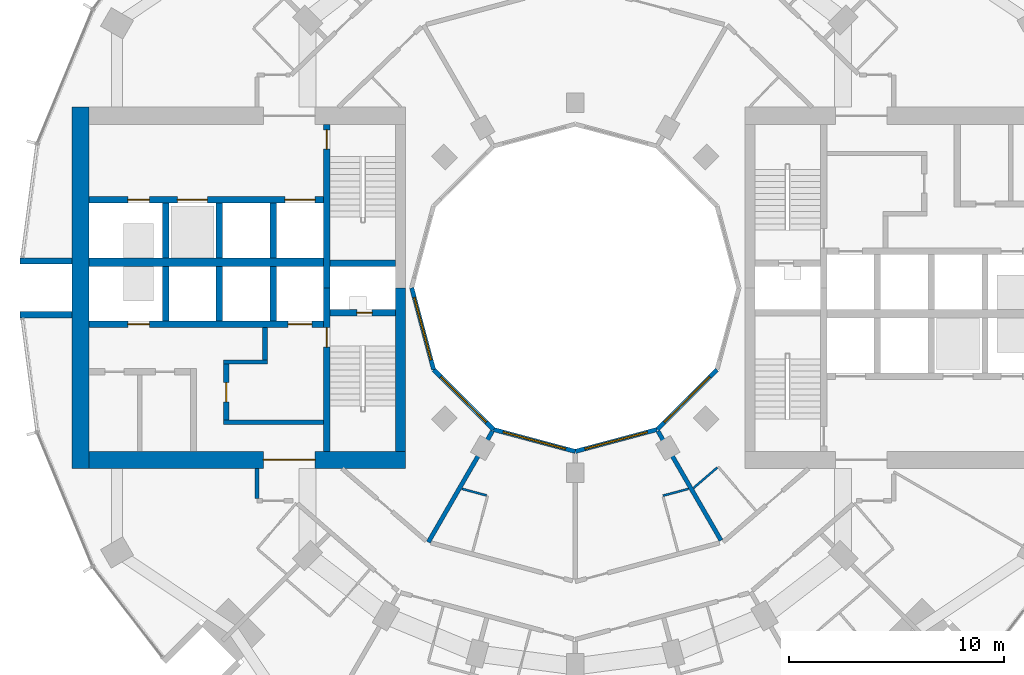
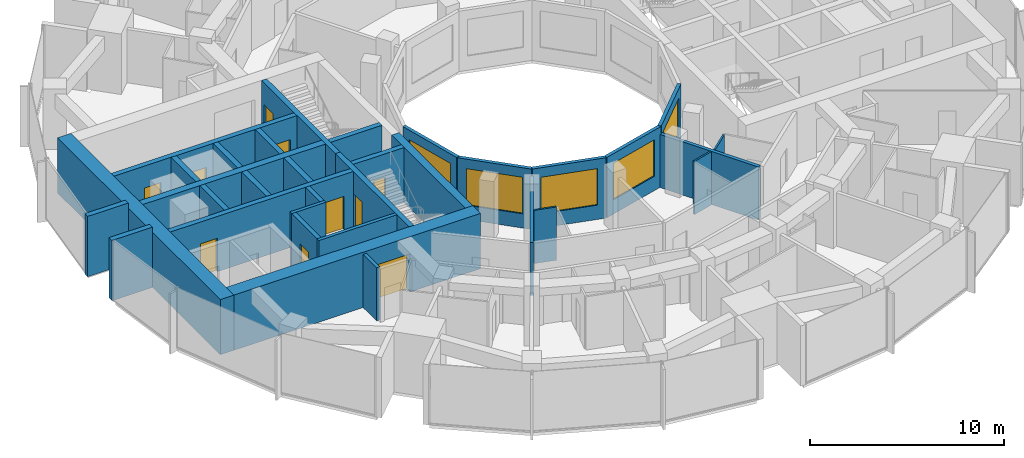
# One storey, part 9 of 15: 33 walls, 10 doors, 5 windows, 15 openings.
"""IFC4 building model written with IfcOpenShell, lengths in metres."""

import ifcopenshell
import ifcopenshell.guid

model = None  # the IFC model being written
_history = None  # IfcOwnerHistory: only IFC2X3 demands one
_inside = {}  # id of a spatial element -> (the spatial element, [elements in it])
_under = {}  # id of a project, library or spatial element -> (it, [spatial elements below it])
_declared = {}  # id of a project -> (the project, [libraries it declares])
_typed = {}  # id of a type object -> (the type object, [elements of that type])
_made_of = {}  # id of a material, layer set ... -> (it, [elements and type objects made of it])


def new_model(schema):
    """Start an empty IFC model of exactly this schema.

    Asked for "IFC4X3", IfcOpenShell would pick the latest addendum, in which some entities
    have other attributes; the version numbers below select the first issue.
    IFC2X3 requires an IfcOwnerHistory on every rooted entity: one is made here for all.
    """
    global model, _history
    if schema == "IFC4X3":
        model = ifcopenshell.file(schema_version=(4, 3, 0, 0))
    else:
        model = ifcopenshell.file(schema=schema)
    _inside.clear()
    _under.clear()
    _declared.clear()
    _typed.clear()
    _made_of.clear()
    _history = None
    if model.schema == "IFC2X3":
        org = make("IfcOrganization", Name="unknown")
        user = make(
            "IfcPersonAndOrganization",
            ThePerson=make("IfcPerson", FamilyName="unknown"),
            TheOrganization=org,
        )
        app = make(
            "IfcApplication",
            ApplicationDeveloper=org,
            Version="unknown",
            ApplicationFullName="unknown",
            ApplicationIdentifier="unknown",
        )
        _history = make(
            "IfcOwnerHistory",
            OwningUser=user,
            OwningApplication=app,
            ChangeAction="ADDED",
            CreationDate=0,
        )
    return model


def make(cls, **values):
    """One entity of the class cls with the attributes given. An attribute that is None is left unset."""
    return model.create_entity(
        cls, **{name: value for name, value in values.items() if value is not None}
    )


def rooted(cls, **values):
    """An entity with a GlobalId (a new one), such as an element, a storey or a relation."""
    return make(cls, GlobalId=ifcopenshell.guid.new(), OwnerHistory=_history, **values)


def si_unit(unit_type, name, prefix=None):
    """IfcSIUnit, for example si_unit("LENGTHUNIT", "METRE", prefix="MILLI")."""
    return make("IfcSIUnit", UnitType=unit_type, Prefix=prefix, Name=name)


def assignment(units):
    """IfcUnitAssignment: the units of a project."""
    return None if units is None else make("IfcUnitAssignment", Units=units)


def point(xyz):
    """IfcCartesianPoint."""
    return None if xyz is None else make("IfcCartesianPoint", Coordinates=xyz)


def direction(xyz):
    """IfcDirection."""
    return None if xyz is None else make("IfcDirection", DirectionRatios=xyz)


def frame(location, z_axis=None, x_axis=None):
    """IfcAxis2Placement3D, a coordinate frame: its origin and axes. An axis left out is left unset."""
    return make(
        "IfcAxis2Placement3D",
        Location=point(location),
        Axis=direction(z_axis),
        RefDirection=direction(x_axis),
    )


def frame_2d(location, x_axis=None):
    """IfcAxis2Placement2D, a coordinate frame in the plane: its origin and x axis."""
    return make(
        "IfcAxis2Placement2D", Location=point(location), RefDirection=direction(x_axis)
    )


def origin():
    """The frame at (0, 0, 0) with its axes left unset."""
    return frame((0.0, 0.0, 0.0))


def place(relative_to, where):
    """IfcLocalPlacement: puts the frame where relative to a parent placement (None: the world)."""
    return make(
        "IfcLocalPlacement", PlacementRelTo=relative_to, RelativePlacement=where
    )


def context(
    kind, dimensions, precision=None, world=None, true_north=None, identifier=None
):
    """IfcGeometricRepresentationContext, for example the 3D "Model" context."""
    return make(
        "IfcGeometricRepresentationContext",
        ContextIdentifier=identifier,
        ContextType=kind,
        CoordinateSpaceDimension=dimensions,
        Precision=precision,
        WorldCoordinateSystem=world,
        TrueNorth=true_north,
    )


def subcontext(parent, identifier, kind, view, scale=None):
    """IfcGeometricRepresentationSubContext, for example "Body" below "Model"."""
    return make(
        "IfcGeometricRepresentationSubContext",
        ContextIdentifier=identifier,
        ContextType=kind,
        ParentContext=parent,
        TargetScale=scale,
        TargetView=view,
    )


def project(units=None, contexts=None):
    """IfcProject with its units and contexts."""
    return rooted(
        "IfcProject",
        Name="project",
        RepresentationContexts=contexts,
        UnitsInContext=assignment(units),
    )


def spatial(cls, under=None, at=None, **own):
    """A site, building, storey or space (cls), placed at a placement, below another one or the project."""
    s = rooted(cls, ObjectPlacement=at, **own)
    if under is not None:
        _under.setdefault(under.id(), (under, []))[1].append(s)
    return s


def profile(cls, at=None, kind="AREA", **sizes):
    """A parametric profile (cls). Its sizes go by their IFC names, for example OverallWidth=200.0."""
    return make(cls, ProfileType=kind, Position=at, **sizes)


def rectangle(**sizes):
    """IfcRectangleProfileDef."""
    return profile("IfcRectangleProfileDef", **sizes)


def extrude(swept, where, along, depth):
    """IfcExtrudedAreaSolid: the profile swept, set in the frame where, extruded along a direction by depth."""
    return make(
        "IfcExtrudedAreaSolid",
        SweptArea=swept,
        Position=where,
        ExtrudedDirection=direction(along),
        Depth=depth,
    )


def shape(context_of_items, identifier, shape_type, items):
    """IfcShapeRepresentation: the items that make up one representation, for example the "Body"."""
    return make(
        "IfcShapeRepresentation",
        ContextOfItems=context_of_items,
        RepresentationIdentifier=identifier,
        RepresentationType=shape_type,
        Items=items,
    )


def material(Name=None, Category=None):
    """IfcMaterial."""
    return make("IfcMaterial", Name=Name, Category=Category)


def layer(
    of_material, thickness, ventilated=None, Name=None, Category=None, Priority=None
):
    """IfcMaterialLayer: one layer of a wall or slab, of a material (None: an air gap)."""
    return make(
        "IfcMaterialLayer",
        Material=of_material,
        LayerThickness=thickness,
        IsVentilated=ventilated,
        Name=Name,
        Category=Category,
        Priority=Priority,
    )


def layer_set(layers, Name=None):
    """IfcMaterialLayerSet."""
    return make("IfcMaterialLayerSet", MaterialLayers=layers, LayerSetName=Name)


def made_of(thing, what):
    """Note that an element or type object is made of a material, layer set ...; save() writes the relation."""
    if what is not None:
        _made_of.setdefault(what.id(), (what, []))[1].append(thing)
    return thing


def type_object(cls, material=None, **own):
    """A type object (cls), such as IfcWallType, which elements share."""
    return made_of(rooted(cls, **own), material)


def element(
    cls,
    number,
    at=None,
    inside=None,
    cuts=None,
    type_object=None,
    material=None,
    context=None,
    identifier="Body",
    shape_type=None,
    held_by="IfcProductDefinitionShape",
    body=None,
    shapes=None,
    **own,
):
    """One element of the class cls, such as IfcWall. Its Tag is "e" and its number.

    at: its placement. inside: the storey or other place that contains it. cuts: it is an
    opening in that element (IfcRelVoidsElement). A single representation is given by context,
    identifier, shape_type and body (its items); several are given by shapes. held_by: the class
    of the entity that holds the representations. save() writes the other relations.
    """
    e = rooted(cls, Tag="e%d" % number, ObjectPlacement=at, **own)
    if body is not None:
        shapes = [shape(context, identifier, shape_type, body)]
    if shapes is not None:
        e.Representation = make(held_by, Representations=shapes)
    if inside is not None:
        _inside.setdefault(inside.id(), (inside, []))[1].append(e)
    if cuts is not None:
        rooted(
            "IfcRelVoidsElement", RelatingBuildingElement=cuts, RelatedOpeningElement=e
        )
    if type_object is not None:
        _typed.setdefault(type_object.id(), (type_object, []))[1].append(e)
    return made_of(e, material)


def fill(opening, filler):
    """IfcRelFillsElement: the door or window that sits in an opening."""
    return rooted(
        "IfcRelFillsElement",
        RelatingOpeningElement=opening,
        RelatedBuildingElement=filler,
    )


def aggregate(whole, parts):
    """IfcRelAggregates: a whole, such as a stair, and the parts it consists of."""
    return rooted("IfcRelAggregates", RelatingObject=whole, RelatedObjects=parts)


def save(model, path):
    """Write the relations noted so far, then the file.

    IfcRelAggregates (storeys below a building ...), IfcRelContainedInSpatialStructure (elements
    in a storey), IfcRelDefinesByType, IfcRelAssociatesMaterial and IfcRelDeclares: one each for
    every whole, place, type object, material and project.
    """
    for whole, parts in _under.values():
        aggregate(whole, parts)
    for where, things in _inside.values():
        rooted(
            "IfcRelContainedInSpatialStructure",
            RelatedElements=things,
            RelatingStructure=where,
        )
    for kind, things in _typed.values():
        rooted("IfcRelDefinesByType", RelatedObjects=things, RelatingType=kind)
    for what, things in _made_of.values():
        rooted("IfcRelAssociatesMaterial", RelatedObjects=things, RelatingMaterial=what)
    for by, libraries in _declared.values():
        rooted("IfcRelDeclares", RelatingContext=by, RelatedDefinitions=libraries)
    model.write(path)


model = new_model("IFC4")

# Units and contexts
model_context = context("Model", 3, precision=1e-05, world=origin(), true_north=direction((0.0, 1.0)))
body_context = subcontext(model_context, "Body", "Model", "MODEL_VIEW")
ifc_project = project(units=[si_unit("LENGTHUNIT", "METRE"), si_unit("AREAUNIT", "SQUARE_METRE"), si_unit("VOLUMEUNIT", "CUBIC_METRE"), si_unit("PLANEANGLEUNIT", "RADIAN"), si_unit("MASSUNIT", "GRAM", prefix="KILO")], contexts=[model_context])

# Site, building, storey
site_placement = place(None, origin())
site = spatial("IfcSite", under=ifc_project, at=site_placement, CompositionType="ELEMENT")
building_placement = place(site_placement, origin())
building = spatial("IfcBuilding", under=site, at=building_placement, Name="Torre Brocal", CompositionType="ELEMENT")
storey_placement = place(building_placement, frame((0.0, 0.0, 40.199951171875)))
storey = spatial("IfcBuildingStorey", under=building, at=storey_placement, Name="L08", CompositionType="ELEMENT", Elevation=40.199951171875)

# Walls
ifc_material_1 = material(Name="Concrete C80", Category="concrete")
ifc_layer_1 = layer(ifc_material_1, 0.199951171875)
ifc_layer_set_1 = layer_set([ifc_layer_1], Name="Concrete C80")
wall_type_1 = type_object("IfcWallType", Name="CORE WALL 200 C80", PredefinedType="SHEAR", material=ifc_layer_set_1)
wall_1_placement = place(storey_placement, frame((68.300048828125, 68.75, 0.0), z_axis=(0.0, 0.0, 1.0), x_axis=(-1.0, 0.0, 0.0)))
element("IfcWall", 1, at=wall_1_placement, inside=storey, type_object=wall_type_1, Name="Wall CW200-80", PredefinedType="SHEAR", context=body_context, shape_type="SweptSolid", body=[
    extrude(rectangle(XDim=4.650146484375, YDim=0.199951171875, at=frame_2d((2.3251953125, 0.0))), origin(), (0.0, 0.0, 1.0), 3.47998046875),
])
wall_2_placement = place(storey_placement, frame((65.699951171875, 71.550048828125, 0.0), z_axis=(0.0, 0.0, 1.0), x_axis=(-1.0, 0.0, 0.0)))
element("IfcWall", 2, at=wall_2_placement, inside=storey, type_object=wall_type_1, Name="Wall CW200-80", PredefinedType="SHEAR", context=body_context, shape_type="SweptSolid", body=[
    extrude(rectangle(XDim=2.050048828125, YDim=0.199951171875, at=frame_2d((1.02490234375, 0.0))), origin(), (0.0, 0.0, 1.0), 3.47998046875),
])

# Wall, opening, door
ifc_material_2 = material(Name="Concrete C80", Category="concrete")
ifc_layer_2 = layer(ifc_material_2, 0.25)
ifc_layer_set_2 = layer_set([ifc_layer_2], Name="Concrete C80")
wall_type_2 = type_object("IfcWallType", Name="CORE WALL 250 C80", PredefinedType="SHEAR", material=ifc_layer_set_2)
wall_3_placement = place(storey_placement, frame((63.77490234375, 71.449951171875, 0.0), z_axis=(0.0, 0.0, 1.0), x_axis=(0.0, -1.0, 0.0)))
wall_3 = element("IfcWall", 3, at=wall_3_placement, inside=storey, type_object=wall_type_2, Name="Wall CW250-80", PredefinedType="SHEAR", context=body_context, shape_type="SweptSolid", body=[
    extrude(rectangle(XDim=2.599853515625, YDim=0.25, at=frame_2d((1.2998046875, 0.0))), origin(), (0.0, 0.0, 1.0), 3.47998046875),
])
opening_1_placement = place(wall_3_placement, frame((0.85009765625, 0.0, 0.0)))
opening_1 = element("IfcOpeningElement", 4, at=opening_1_placement, cuts=wall_3, Name="Opening W-D15", PredefinedType="OPENING", context=body_context, shape_type="SweptSolid", body=[
    extrude(rectangle(XDim=0.89990234375, YDim=2.10009765625, at=frame_2d((0.449951171875, 1.050048828125))), frame((0.0, 0.135009765625, 0.0), z_axis=(0.0, -1.0, 0.0), x_axis=(1.0, 0.0, 0.0)), (0.0, 0.0, 1.0), 0.27001953125),
])
ifc_material_3 = material(Name="Steel A653", Category="steel")
door_type_1 = type_object("IfcDoorType", Name="LOBBY DOOR FD120 900X2100", OperationType="SINGLE_SWING_RIGHT", PredefinedType="DOOR", material=ifc_material_3)
door_1_placement = place(opening_1_placement, origin())
door_1 = element("IfcDoor", 5, at=door_1_placement, inside=storey, type_object=door_type_1, Name="Door W-D15", OperationType="SINGLE_SWING_LEFT", OverallHeight=2.10009765625, OverallWidth=0.89990234375, PredefinedType="DOOR", context=body_context, shape_type="SweptSolid", body=[
    extrude(rectangle(XDim=0.89990234375, YDim=2.10009765625, at=frame_2d((0.449951171875, 1.050048828125))), frame((0.0, 0.02490234375, 0.0), z_axis=(0.0, -1.0, 0.0), x_axis=(1.0, 0.0, 0.0)), (0.0, 0.0, 1.0), 0.050048828125),
])
fill(opening_1, door_1)

# Wall
wall_4_placement = place(storey_placement, frame((65.574951171875, 73.14990234375, 0.0), z_axis=(0.0, 0.0, 1.0), x_axis=(0.0, -1.0, 0.0)))
element("IfcWall", 6, at=wall_4_placement, inside=storey, type_object=wall_type_2, Name="Wall CW250-80", PredefinedType="SHEAR", context=body_context, shape_type="SweptSolid", body=[
    extrude(rectangle(XDim=1.5, YDim=0.25, at=frame_2d((0.75, 0.0))), origin(), (0.0, 0.0, 1.0), 3.47998046875),
])

# Wall, opening, door
ifc_material_4 = material(Name="Concrete C80", Category="concrete")
ifc_layer_3 = layer(ifc_material_4, 0.300048828125)
ifc_layer_set_3 = layer_set([ifc_layer_3], Name="Concrete C80")
wall_type_3 = type_object("IfcWallType", Name="CORE WALL 300 C80", PredefinedType="SHEAR", material=ifc_layer_set_3)
wall_5_placement = place(storey_placement, frame((68.449951171875, 75.0, 0.0), z_axis=(0.0, 0.0, 1.0), x_axis=(0.0, -1.0, 0.0)))
wall_5 = element("IfcWall", 7, at=wall_5_placement, inside=storey, type_object=wall_type_3, Name="Wall CW300-80", PredefinedType="SHEAR", context=body_context, shape_type="SweptSolid", body=[
    extrude(rectangle(XDim=7.60009765625, YDim=0.300048828125, at=frame_2d((3.800048828125, 0.0))), origin(), (0.0, 0.0, 1.0), 3.47998046875),
])
opening_2_placement = place(wall_5_placement, frame((1.85009765625, 0.0, 0.0)))
opening_2 = element("IfcOpeningElement", 8, at=opening_2_placement, cuts=wall_5, Name="Opening W-D02", PredefinedType="OPENING", context=body_context, shape_type="SweptSolid", body=[
    extrude(rectangle(XDim=0.89990234375, YDim=2.10009765625, at=frame_2d((0.449951171875, 1.050048828125))), frame((0.0, 0.159912109375, 0.0), z_axis=(0.0, -1.0, 0.0), x_axis=(1.0, 0.0, 0.0)), (0.0, 0.0, 1.0), 0.320068359375),
])
ifc_material_5 = material(Name="Steel A653", Category="steel")
door_type_2 = type_object("IfcDoorType", Name="STAIR DOOR FD120 900X2100", OperationType="SINGLE_SWING_RIGHT", PredefinedType="DOOR", material=ifc_material_5)
door_2_placement = place(opening_2_placement, origin())
door_2 = element("IfcDoor", 9, at=door_2_placement, inside=storey, type_object=door_type_2, Name="Door W-D02", OperationType="SINGLE_SWING_LEFT", OverallHeight=2.10009765625, OverallWidth=0.89990234375, PredefinedType="DOOR", context=body_context, shape_type="SweptSolid", body=[
    extrude(rectangle(XDim=0.89990234375, YDim=2.10009765625, at=frame_2d((0.449951171875, 1.050048828125))), frame((0.0, 0.02490234375, 0.0), z_axis=(0.0, -1.0, 0.0), x_axis=(1.0, 0.0, 0.0)), (0.0, 0.0, 1.0), 0.050048828125),
])
fill(opening_2, door_2)

wall_6_placement = place(storey_placement, frame((68.449951171875, 82.60009765625, 0.0), z_axis=(0.0, 0.0, 1.0), x_axis=(0.0, -1.0, 0.0)))
wall_6 = element("IfcWall", 10, at=wall_6_placement, inside=storey, type_object=wall_type_3, Name="Wall CW300-80", PredefinedType="SHEAR", context=body_context, shape_type="SweptSolid", body=[
    extrude(rectangle(XDim=7.60009765625, YDim=0.300048828125, at=frame_2d((3.800048828125, 0.0))), origin(), (0.0, 0.0, 1.0), 3.47998046875),
])
opening_3_placement = place(wall_6_placement, frame((0.25, 0.0, 0.0)))
opening_3 = element("IfcOpeningElement", 11, at=opening_3_placement, cuts=wall_6, Name="Opening W-D03", PredefinedType="OPENING", context=body_context, shape_type="SweptSolid", body=[
    extrude(rectangle(XDim=0.89990234375, YDim=2.10009765625, at=frame_2d((0.449951171875, 1.050048828125))), frame((0.0, 0.159912109375, 0.0), z_axis=(0.0, -1.0, 0.0), x_axis=(1.0, 0.0, 0.0)), (0.0, 0.0, 1.0), 0.320068359375),
])
door_3_placement = place(opening_3_placement, origin())
door_3 = element("IfcDoor", 12, at=door_3_placement, inside=storey, type_object=door_type_2, Name="Door W-D03", OperationType="SINGLE_SWING_LEFT", OverallHeight=2.10009765625, OverallWidth=0.89990234375, PredefinedType="DOOR", context=body_context, shape_type="SweptSolid", body=[
    extrude(rectangle(XDim=0.89990234375, YDim=2.10009765625, at=frame_2d((0.449951171875, 1.050048828125))), frame((0.0, 0.02490234375, 0.0), z_axis=(0.0, -1.0, 0.0), x_axis=(1.0, 0.0, 0.0)), (0.0, 0.0, 1.0), 0.050048828125),
])
fill(opening_3, door_3)

wall_7_placement = place(storey_placement, frame((71.64990234375, 73.85009765625, 0.0), z_axis=(0.0, 0.0, 1.0), x_axis=(-1.0, 0.0, 0.0)))
wall_7 = element("IfcWall", 13, at=wall_7_placement, inside=storey, type_object=wall_type_3, Name="Wall CW300-80", PredefinedType="SHEAR", context=body_context, shape_type="SweptSolid", body=[
    extrude(rectangle(XDim=3.0498046875, YDim=0.300048828125, at=frame_2d((1.52490234375, 0.0))), origin(), (0.0, 0.0, 1.0), 3.47998046875),
])
opening_4_placement = place(wall_7_placement, frame((1.10009765625, 0.0, 0.0)))
opening_4 = element("IfcOpeningElement", 14, at=opening_4_placement, cuts=wall_7, Name="Opening W-D01", PredefinedType="OPENING", context=body_context, shape_type="SweptSolid", body=[
    extrude(rectangle(XDim=0.699951171875, YDim=2.0, at=frame_2d((0.35009765625, 1.0))), frame((0.0, 0.159912109375, 0.0), z_axis=(0.0, -1.0, 0.0), x_axis=(1.0, 0.0, 0.0)), (0.0, 0.0, 1.0), 0.320068359375),
])
ifc_material_6 = material(Name="Steel A653", Category="steel")
door_type_3 = type_object("IfcDoorType", Name="RISER DOOR FD120 700X2000", OperationType="SINGLE_SWING_LEFT", PredefinedType="DOOR", material=ifc_material_6)
door_4_placement = place(opening_4_placement, frame((0.699951171875, 0.0, 0.0), z_axis=(0.0, 0.0, 1.0), x_axis=(-1.0, 0.0, 0.0)))
door_4 = element("IfcDoor", 15, at=door_4_placement, inside=storey, type_object=door_type_3, Name="Door W-D01", OperationType="SINGLE_SWING_RIGHT", OverallHeight=2.0, OverallWidth=0.699951171875, PredefinedType="DOOR", context=body_context, shape_type="SweptSolid", body=[
    extrude(rectangle(XDim=0.699951171875, YDim=2.0, at=frame_2d((0.35009765625, 1.0))), frame((0.0, 0.02490234375, 0.0), z_axis=(0.0, -1.0, 0.0), x_axis=(1.0, 0.0, 0.0)), (0.0, 0.0, 1.0), 0.050048828125),
])
fill(opening_4, door_4)

# Wall
wall_8_placement = place(storey_placement, frame((71.64990234375, 76.14990234375, 0.0), z_axis=(0.0, 0.0, 1.0), x_axis=(-1.0, 0.0, 0.0)))
element("IfcWall", 16, at=wall_8_placement, inside=storey, type_object=wall_type_3, Name="Wall CW300-80", PredefinedType="SHEAR", context=body_context, shape_type="SweptSolid", body=[
    extrude(rectangle(XDim=3.0498046875, YDim=0.300048828125, at=frame_2d((1.52490234375, 0.0))), origin(), (0.0, 0.0, 1.0), 3.47998046875),
])

# Wall, openings, doors
wall_9_placement = place(storey_placement, frame((68.300048828125, 73.300048828125, 0.0), z_axis=(0.0, 0.0, 1.0), x_axis=(-1.0, 0.0, 0.0)))
wall_9 = element("IfcWall", 17, at=wall_9_placement, inside=storey, type_object=wall_type_3, Name="Wall CW300-80", PredefinedType="SHEAR", context=body_context, shape_type="SweptSolid", body=[
    extrude(rectangle(XDim=10.900146484375, YDim=0.300048828125, at=frame_2d((5.4501953125, 0.0))), origin(), (0.0, 0.0, 1.0), 3.47998046875),
])
opening_5_placement = place(wall_9_placement, frame((0.550048828125, 0.0, 0.0)))
opening_5 = element("IfcOpeningElement", 18, at=opening_5_placement, cuts=wall_9, Name="Opening LD", PredefinedType="OPENING", context=body_context, shape_type="SweptSolid", body=[
    extrude(rectangle(XDim=1.10009765625, YDim=2.10009765625, at=frame_2d((0.550048828125, 1.050048828125))), frame((0.0, 0.159912109375, 0.0), z_axis=(0.0, -1.0, 0.0), x_axis=(1.0, 0.0, 0.0)), (0.0, 0.0, 1.0), 0.320068359375),
])
opening_6_placement = place(wall_9_placement, frame((8.10009765625, 0.0, 0.0)))
opening_6 = element("IfcOpeningElement", 19, at=opening_6_placement, cuts=wall_9, Name="Opening LD10", PredefinedType="OPENING", context=body_context, shape_type="SweptSolid", body=[
    extrude(rectangle(XDim=1.0, YDim=2.10009765625, at=frame_2d((0.5, 1.050048828125))), frame((0.0, 0.159912109375, 0.0), z_axis=(0.0, -1.0, 0.0), x_axis=(1.0, 0.0, 0.0)), (0.0, 0.0, 1.0), 0.320068359375),
])
ifc_material_7 = material(Name="Stainless steel AISI 316", Category="steel")
door_type_4 = type_object("IfcDoorType", Name="LIFT LANDING DOOR 1000X2100", OperationType="DOUBLE_DOOR_SLIDING", PredefinedType="DOOR", material=ifc_material_7)
door_5_placement = place(opening_6_placement, origin())
door_5 = element("IfcDoor", 20, at=door_5_placement, inside=storey, type_object=door_type_4, Name="Door LD10", OperationType="DOUBLE_DOOR_SLIDING", OverallHeight=2.10009765625, OverallWidth=1.0, PredefinedType="DOOR", context=body_context, shape_type="SweptSolid", body=[
    extrude(rectangle(XDim=1.0, YDim=2.10009765625, at=frame_2d((0.5, 1.050048828125))), frame((0.0, 0.02490234375, 0.0), z_axis=(0.0, -1.0, 0.0), x_axis=(1.0, 0.0, 0.0)), (0.0, 0.0, 1.0), 0.050048828125),
])
fill(opening_6, door_5)
ifc_material_8 = material(Name="Stainless steel AISI 316", Category="steel")
door_type_5 = type_object("IfcDoorType", Name="LIFT LANDING DOOR 1100X2100", OperationType="DOUBLE_DOOR_SLIDING", PredefinedType="DOOR", material=ifc_material_8)
door_6_placement = place(opening_5_placement, origin())
door_6 = element("IfcDoor", 21, at=door_6_placement, inside=storey, type_object=door_type_5, Name="Door LD", OperationType="DOUBLE_DOOR_SLIDING", OverallHeight=2.10009765625, OverallWidth=1.10009765625, PredefinedType="DOOR", context=body_context, shape_type="SweptSolid", body=[
    extrude(rectangle(XDim=1.10009765625, YDim=2.10009765625, at=frame_2d((0.550048828125, 1.050048828125))), frame((0.0, 0.02490234375, 0.0), z_axis=(0.0, -1.0, 0.0), x_axis=(1.0, 0.0, 0.0)), (0.0, 0.0, 1.0), 0.050048828125),
])
fill(opening_5, door_6)

wall_10_placement = place(storey_placement, frame((68.300048828125, 79.10009765625, 0.0), z_axis=(0.0, 0.0, 1.0), x_axis=(-1.0, 0.0, 0.0)))
wall_10 = element("IfcWall", 22, at=wall_10_placement, inside=storey, type_object=wall_type_3, Name="Wall CW300-80", PredefinedType="SHEAR", context=body_context, shape_type="SweptSolid", body=[
    extrude(rectangle(XDim=10.900146484375, YDim=0.300048828125, at=frame_2d((5.4501953125, 0.0))), origin(), (0.0, 0.0, 1.0), 3.47998046875),
])
opening_7_placement = place(wall_10_placement, frame((0.39990234375, 0.0, 0.0)))
opening_7 = element("IfcOpeningElement", 23, at=opening_7_placement, cuts=wall_10, Name="Opening LD14", PredefinedType="OPENING", context=body_context, shape_type="SweptSolid", body=[
    extrude(rectangle(XDim=1.39990234375, YDim=2.10009765625, at=frame_2d((0.699951171875, 1.050048828125))), frame((0.0, 0.159912109375, 0.0), z_axis=(0.0, -1.0, 0.0), x_axis=(1.0, 0.0, 0.0)), (0.0, 0.0, 1.0), 0.320068359375),
])
opening_8_placement = place(wall_10_placement, frame((5.39990234375, 0.0, 0.0)))
opening_8 = element("IfcOpeningElement", 24, at=opening_8_placement, cuts=wall_10, Name="Opening LD14", PredefinedType="OPENING", context=body_context, shape_type="SweptSolid", body=[
    extrude(rectangle(XDim=1.39990234375, YDim=2.10009765625, at=frame_2d((0.699951171875, 1.050048828125))), frame((0.0, 0.159912109375, 0.0), z_axis=(0.0, -1.0, 0.0), x_axis=(1.0, 0.0, 0.0)), (0.0, 0.0, 1.0), 0.320068359375),
])
opening_9_placement = place(wall_10_placement, frame((8.10009765625, 0.0, 0.0)))
opening_9 = element("IfcOpeningElement", 25, at=opening_9_placement, cuts=wall_10, Name="Opening LD10", PredefinedType="OPENING", context=body_context, shape_type="SweptSolid", body=[
    extrude(rectangle(XDim=1.0, YDim=2.10009765625, at=frame_2d((0.5, 1.050048828125))), frame((0.0, 0.159912109375, 0.0), z_axis=(0.0, -1.0, 0.0), x_axis=(1.0, 0.0, 0.0)), (0.0, 0.0, 1.0), 0.320068359375),
])
door_7_placement = place(opening_9_placement, origin())
door_7 = element("IfcDoor", 26, at=door_7_placement, inside=storey, type_object=door_type_4, Name="Door LD10", OperationType="DOUBLE_DOOR_SLIDING", OverallHeight=2.10009765625, OverallWidth=1.0, PredefinedType="DOOR", context=body_context, shape_type="SweptSolid", body=[
    extrude(rectangle(XDim=1.0, YDim=2.10009765625, at=frame_2d((0.5, 1.050048828125))), frame((0.0, 0.02490234375, 0.0), z_axis=(0.0, -1.0, 0.0), x_axis=(1.0, 0.0, 0.0)), (0.0, 0.0, 1.0), 0.050048828125),
])
fill(opening_9, door_7)
ifc_material_9 = material(Name="Stainless steel AISI 316", Category="steel")
door_type_6 = type_object("IfcDoorType", Name="LIFT LANDING DOOR 1400X2100", OperationType="DOUBLE_DOOR_SLIDING", PredefinedType="DOOR", material=ifc_material_9)
door_8_placement = place(opening_7_placement, origin())
door_8 = element("IfcDoor", 27, at=door_8_placement, inside=storey, type_object=door_type_6, Name="Door LD14", OperationType="DOUBLE_DOOR_SLIDING", OverallHeight=2.10009765625, OverallWidth=1.39990234375, PredefinedType="DOOR", context=body_context, shape_type="SweptSolid", body=[
    extrude(rectangle(XDim=1.39990234375, YDim=2.10009765625, at=frame_2d((0.699951171875, 1.050048828125))), frame((0.0, 0.02490234375, 0.0), z_axis=(0.0, -1.0, 0.0), x_axis=(1.0, 0.0, 0.0)), (0.0, 0.0, 1.0), 0.050048828125),
])
fill(opening_7, door_8)
door_9_placement = place(opening_8_placement, origin())
door_9 = element("IfcDoor", 28, at=door_9_placement, inside=storey, type_object=door_type_6, Name="Door LD14", OperationType="DOUBLE_DOOR_SLIDING", OverallHeight=2.10009765625, OverallWidth=1.39990234375, PredefinedType="DOOR", context=body_context, shape_type="SweptSolid", body=[
    extrude(rectangle(XDim=1.39990234375, YDim=2.10009765625, at=frame_2d((0.699951171875, 1.050048828125))), frame((0.0, 0.02490234375, 0.0), z_axis=(0.0, -1.0, 0.0), x_axis=(1.0, 0.0, 0.0)), (0.0, 0.0, 1.0), 0.050048828125),
])
fill(opening_8, door_9)

# Walls
for number, where, z_axis, x_axis, name in (
    (29, (65.949951171875, 76.0, 0.0), (0.0, 0.0, 1.0), (0.0, -1.0, 0.0), "Wall CW300-80"),
    (30, (63.449951171875, 76.0, 0.0), (0.0, 0.0, 1.0), (0.0, -1.0, 0.0), "Wall CW300-80"),
    (31, (60.949951171875, 76.0, 0.0), (0.0, 0.0, 1.0), (0.0, -1.0, 0.0), "Wall CW300-80"),
    (32, (65.949951171875, 78.949951171875, 0.0), (0.0, 0.0, 1.0), (0.0, -1.0, 0.0), "Wall CW300-80"),
    (33, (63.449951171875, 78.949951171875, 0.0), (0.0, 0.0, 1.0), (0.0, -1.0, 0.0), "Wall CW300-80"),
    (34, (60.949951171875, 78.949951171875, 0.0), (0.0, 0.0, 1.0), (0.0, -1.0, 0.0), "Wall CW300-80"),
):
    element("IfcWall", number, at=place(storey_placement, frame(where, z_axis=z_axis, x_axis=x_axis)), inside=storey, type_object=wall_type_3, Name=name, PredefinedType="SHEAR", context=body_context, shape_type="SweptSolid", body=[
        extrude(rectangle(XDim=2.550048828125, YDim=0.300048828125, at=frame_2d((1.27490234375, 0.0))), origin(), (0.0, 0.0, 1.0), 3.47998046875),
    ])
ifc_material_10 = material(Name="Concrete C80", Category="concrete")
ifc_layer_4 = layer(ifc_material_10, 0.39990234375)
ifc_layer_set_4 = layer_set([ifc_layer_4], Name="Concrete C80")
wall_type_4 = type_object("IfcWallType", Name="CORE WALL 400 C80", PredefinedType="SHEAR", material=ifc_layer_set_4)
wall_11_placement = place(storey_placement, frame((68.300048828125, 76.199951171875, 0.0), z_axis=(0.0, 0.0, 1.0), x_axis=(-1.0, 0.0, 0.0)))
element("IfcWall", 35, at=wall_11_placement, inside=storey, type_object=wall_type_4, Name="Wall CW400-80", PredefinedType="SHEAR", context=body_context, shape_type="SweptSolid", body=[
    extrude(rectangle(XDim=10.900146484375, YDim=0.39990234375, at=frame_2d((5.4501953125, 0.0))), origin(), (0.0, 0.0, 1.0), 3.47998046875),
])
ifc_material_11 = material(Name="Concrete C80", Category="concrete")
ifc_layer_5 = layer(ifc_material_11, 0.449951171875)
ifc_layer_set_5 = layer_set([ifc_layer_5], Name="Concrete C80")
wall_type_5 = type_object("IfcWallType", Name="CORE WALL 450 C80", PredefinedType="SHEAR", material=ifc_layer_set_5)
wall_12_placement = place(storey_placement, frame((71.875, 75.0, 0.0), z_axis=(0.0, 0.0, 1.0), x_axis=(0.0, -1.0, 0.0)))
element("IfcWall", 36, at=wall_12_placement, inside=storey, type_object=wall_type_5, Name="Wall CW450-80", PredefinedType="SHEAR", context=body_context, shape_type="SweptSolid", body=[
    extrude(rectangle(XDim=7.60009765625, YDim=0.449951171875, at=frame_2d((3.800048828125, 0.0))), origin(), (0.0, 0.0, 1.0), 3.47998046875),
])

# Wall, opening, door
ifc_material_12 = material(Name="Concrete C80", Category="concrete")
ifc_layer_6 = layer(ifc_material_12, 0.800048828125)
ifc_layer_set_6 = layer_set([ifc_layer_6], Name="Concrete C80")
wall_type_6 = type_object("IfcWallType", Name="CORE WALL 800 C80", PredefinedType="SHEAR", material=ifc_layer_set_6)
wall_13_placement = place(storey_placement, frame((72.10009765625, 67.0, 0.0), z_axis=(0.0, 0.0, 1.0), x_axis=(-1.0, 0.0, 0.0)))
wall_13 = element("IfcWall", 37, at=wall_13_placement, inside=storey, type_object=wall_type_6, Name="Wall CW800-80", PredefinedType="SHEAR", context=body_context, shape_type="SweptSolid", body=[
    extrude(rectangle(XDim=14.7001953125, YDim=0.800048828125, at=frame_2d((7.35009765625, 0.0))), origin(), (0.0, 0.0, 1.0), 3.47998046875),
])
opening_10_placement = place(wall_13_placement, frame((4.199951171875, 0.0, 0.0)))
opening_10 = element("IfcOpeningElement", 38, at=opening_10_placement, cuts=wall_13, Name="Opening W-D24", PredefinedType="OPENING", context=body_context, shape_type="SweptSolid", body=[
    extrude(rectangle(XDim=2.39990234375, YDim=2.39990234375, at=frame_2d((1.199951171875, 1.199951171875))), frame((0.0, 0.409912109375, 0.0), z_axis=(0.0, -1.0, 0.0), x_axis=(1.0, 0.0, 0.0)), (0.0, 0.0, 1.0), 0.820068359375),
])
ifc_material_13 = material(Name="Steel A653", Category="steel")
door_type_7 = type_object("IfcDoorType", Name="DOUBLE FIRE DOOR FD90 2400X2400", OperationType="DOUBLE_DOOR_SINGLE_SWING", PredefinedType="DOOR", material=ifc_material_13)
door_10_placement = place(opening_10_placement, frame((2.39990234375, 0.0, 0.0), z_axis=(0.0, 0.0, 1.0), x_axis=(-1.0, 0.0, 0.0)))
door_10 = element("IfcDoor", 39, at=door_10_placement, inside=storey, type_object=door_type_7, Name="Door W-D24", OperationType="DOUBLE_DOOR_SINGLE_SWING", OverallHeight=2.39990234375, OverallWidth=2.39990234375, PredefinedType="DOOR", context=body_context, shape_type="SweptSolid", body=[
    extrude(rectangle(XDim=2.39990234375, YDim=2.39990234375, at=frame_2d((1.199951171875, 1.199951171875))), frame((0.0, 0.02490234375, 0.0), z_axis=(0.0, -1.0, 0.0), x_axis=(1.0, 0.0, 0.0)), (0.0, 0.0, 1.0), 0.050048828125),
])
fill(opening_10, door_10)

# Walls
wall_14_placement = place(storey_placement, frame((57.0, 83.39990234375, 0.0), z_axis=(0.0, 0.0, 1.0), x_axis=(0.0, -1.0, 0.0)))
element("IfcWall", 40, at=wall_14_placement, inside=storey, type_object=wall_type_6, Name="Wall CW800-80", PredefinedType="SHEAR", context=body_context, shape_type="SweptSolid", body=[
    extrude(rectangle(XDim=16.7998046875, YDim=0.800048828125, at=frame_2d((8.39990234375, 0.0))), origin(), (0.0, 0.0, 1.0), 3.47998046875),
])
ifc_material_14 = material(Name="Concrete C80", Category="concrete")
ifc_layer_7 = layer(ifc_material_14, 0.300048828125)
ifc_layer_set_7 = layer_set([ifc_layer_7], Name="Concrete C80")
wall_type_7 = type_object("IfcWallType", Name="NOTCH RETURN WALL 300 C80", PredefinedType="NOTDEFINED", material=ifc_layer_set_7)
for number, where, z_axis, x_axis, name in (
    (41, (56.60009765625, 76.25, 0.0), (0.0, 0.0, 1.0), (-1.0, 0.0, 0.0), "NOTCH RETURN WALL"),
    (42, (56.60009765625, 73.75, 0.0), (0.0, 0.0, 1.0), (-1.0, 0.0, 0.0), "NOTCH RETURN WALL"),
):
    element("IfcWall", number, at=place(storey_placement, frame(where, z_axis=z_axis, x_axis=x_axis)), inside=storey, type_object=wall_type_7, Name=name, PredefinedType="NOTDEFINED", context=body_context, shape_type="SweptSolid", body=[
        extrude(rectangle(XDim=2.415771484375, YDim=0.300048828125, at=frame_2d((1.2080078125, 0.0))), origin(), (0.0, 0.0, 1.0), 3.800048828125),
    ])
ifc_material_15 = material(Name="Gypsum board", Category="Gypsum")
ifc_layer_8 = layer(ifc_material_15, 0.10009765625)
ifc_layer_set_8 = layer_set([ifc_layer_8], Name="Gypsum board")
wall_type_8 = type_object("IfcWallType", Name="PARTITION 100", PredefinedType="PARTITIONING", material=ifc_layer_set_8)
wall_15_placement = place(storey_placement, frame((74.729248046875, 65.657470703125, 0.0), z_axis=(0.0, 0.0, 1.0), x_axis=(0.965948051503, -0.258736085224, 0.0)))
element("IfcWall", 43, at=wall_15_placement, inside=storey, type_object=wall_type_8, Name="BATHROOM WALL", PredefinedType="PARTITIONING", context=body_context, shape_type="SweptSolid", body=[
    extrude(rectangle(XDim=1.18896484375, YDim=0.10009765625, at=frame_2d((0.594482421875, 0.0))), origin(), (0.0, 0.0, 1.0), 3.35009765625),
])
wall_16_placement = place(storey_placement, frame((84.073974609375, 65.3369140625, 0.0), z_axis=(0.0, 0.0, 1.0), x_axis=(0.965914351064, 0.258861867428, 0.0)))
element("IfcWall", 44, at=wall_16_placement, inside=storey, type_object=wall_type_8, Name="BATHROOM WALL", PredefinedType="PARTITIONING", context=body_context, shape_type="SweptSolid", body=[
    extrude(rectangle(XDim=1.22900390625, YDim=0.10009765625, at=frame_2d((0.614501953125, 0.0))), origin(), (0.0, 0.0, 1.0), 3.35009765625),
])
wall_17_placement = place(storey_placement, frame((85.497314453125, 65.69580078125, 0.0), z_axis=(0.0, 0.0, 1.0), x_axis=(0.75817032582, 0.652056559698, 0.0)))
element("IfcWall", 45, at=wall_17_placement, inside=storey, type_object=wall_type_8, Name="BATHROOM WALL", PredefinedType="PARTITIONING", context=body_context, shape_type="SweptSolid", body=[
    extrude(rectangle(XDim=1.4609375, YDim=0.10009765625, at=frame_2d((0.73046875, 0.0))), origin(), (0.0, 0.0, 1.0), 3.35009765625),
])
ifc_material_16 = material(Name="Gypsum board", Category="Gypsum")
ifc_layer_9 = layer(ifc_material_16, 0.199951171875)
ifc_layer_set_9 = layer_set([ifc_layer_9], Name="Gypsum board")
wall_type_9 = type_object("IfcWallType", Name="PARTITION 200 EI60", PredefinedType="PARTITIONING", material=ifc_layer_set_9)
wall_18_placement = place(storey_placement, frame((65.199951171875, 65.199951171875, 0.0), z_axis=(0.0, 0.0, 1.0), x_axis=(0.0, 1.0, 0.0)))
element("IfcWall", 46, at=wall_18_placement, inside=storey, type_object=wall_type_9, Name="GUESTROOM CORRIDOR WALL", PredefinedType="PARTITIONING", context=body_context, shape_type="SweptSolid", body=[
    extrude(rectangle(XDim=1.399169921875, YDim=0.199951171875, at=frame_2d((0.69970703125, 0.0))), origin(), (0.0, 0.0, 1.0), 3.35009765625),
])
wall_19_placement = place(storey_placement, frame((73.169189453125, 63.17822265625, 0.0), z_axis=(0.0, 0.0, 1.0), x_axis=(0.50020860964, 0.865904929448, 0.0)))
element("IfcWall", 47, at=wall_19_placement, inside=storey, type_object=wall_type_9, Name="BATHROOM WALL", PredefinedType="PARTITIONING", context=body_context, shape_type="SweptSolid", body=[
    extrude(rectangle(XDim=5.955078125, YDim=0.199951171875, at=frame_2d((2.9775390625, 0.0))), origin(), (0.0, 0.0, 1.0), 3.35009765625),
])
wall_20_placement = place(storey_placement, frame((83.847900390625, 68.332275390625, 0.0), z_axis=(0.0, 0.0, 1.0), x_axis=(0.499919778085, -0.866071714975, 0.0)))
element("IfcWall", 48, at=wall_20_placement, inside=storey, type_object=wall_type_9, Name="BATHROOM WALL", PredefinedType="PARTITIONING", context=body_context, shape_type="SweptSolid", body=[
    extrude(rectangle(XDim=5.85498046875, YDim=0.199951171875, at=frame_2d((2.927490234375, 0.0))), origin(), (0.0, 0.0, 1.0), 3.35009765625),
])

# Wall, opening, window
ifc_material_17 = material(Name="Concrete C40", Category="concrete")
ifc_layer_10 = layer(ifc_material_17, 0.199951171875)
ifc_layer_set_10 = layer_set([ifc_layer_10], Name="Concrete C40")
wall_type_10 = type_object("IfcWallType", Name="WELL FACADE WALL 200", PredefinedType="NOTDEFINED", material=ifc_layer_set_10)
wall_21_placement = place(storey_placement, frame((72.396484375, 75.0, 0.0), z_axis=(0.0, 0.0, 1.0), x_axis=(0.258789828301, -0.965933654434, 0.0)))
wall_21 = element("IfcWall", 49, at=wall_21_placement, inside=storey, type_object=wall_type_10, Name="WELL FACADE WALL", PredefinedType="NOTDEFINED", context=body_context, shape_type="SweptSolid", body=[
    extrude(rectangle(XDim=3.935791015625, YDim=0.199951171875, at=frame_2d((1.9677734375, 0.0))), origin(), (0.0, 0.0, 1.0), 3.800048828125),
])
opening_11_placement = place(wall_21_placement, frame((0.468017578125, 0.0, 0.89990234375)))
opening_11 = element("IfcOpeningElement", 50, at=opening_11_placement, cuts=wall_21, Name="Opening W1", PredefinedType="OPENING", context=body_context, shape_type="SweptSolid", body=[
    extrude(rectangle(XDim=3.0, YDim=2.300048828125, at=frame_2d((1.5, 1.14990234375))), frame((0.0, 0.10986328125, 0.0), z_axis=(0.0, -1.0, 0.0), x_axis=(1.0, 0.0, 0.0)), (0.0, 0.0, 1.0), 0.219970703125),
])
ifc_material_18 = material(Name="Aluminium and glass", Category="aluminium")
window_type = type_object("IfcWindowType", Name="WELL WINDOW 3000X2300", PartitioningType="SINGLE_PANEL", PredefinedType="WINDOW", material=ifc_material_18)
window_1_placement = place(opening_11_placement, origin())
window_1 = element("IfcWindow", 51, at=window_1_placement, inside=storey, type_object=window_type, Name="WELL WINDOW 3000X2300", OverallHeight=2.300048828125, OverallWidth=3.0, PartitioningType="SINGLE_PANEL", PredefinedType="WINDOW", context=body_context, shape_type="SweptSolid", body=[
    extrude(rectangle(XDim=3.0, YDim=2.300048828125, at=frame_2d((1.5, 1.14990234375))), frame((0.0, 0.030029296875, 0.0), z_axis=(0.0, -1.0, 0.0), x_axis=(1.0, 0.0, 0.0)), (0.0, 0.0, 1.0), 0.06005859375),
])
fill(opening_11, window_1)

wall_22_placement = place(storey_placement, frame((73.4150390625, 71.1982421875, 0.0), z_axis=(0.0, 0.0, 1.0), x_axis=(0.707106781187, -0.707106781187, 0.0)))
wall_22 = element("IfcWall", 52, at=wall_22_placement, inside=storey, type_object=wall_type_10, Name="WELL FACADE WALL", PredefinedType="NOTDEFINED", context=body_context, shape_type="SweptSolid", body=[
    extrude(rectangle(XDim=3.93603515625, YDim=0.199951171875, at=frame_2d((1.968017578125, 0.0))), origin(), (0.0, 0.0, 1.0), 3.800048828125),
])
opening_12_placement = place(wall_22_placement, frame((0.468017578125, 0.0, 0.89990234375)))
opening_12 = element("IfcOpeningElement", 53, at=opening_12_placement, cuts=wall_22, Name="Opening W1", PredefinedType="OPENING", context=body_context, shape_type="SweptSolid", body=[
    extrude(rectangle(XDim=3.0, YDim=2.300048828125, at=frame_2d((1.5, 1.14990234375))), frame((0.0, 0.10986328125, 0.0), z_axis=(0.0, -1.0, 0.0), x_axis=(1.0, 0.0, 0.0)), (0.0, 0.0, 1.0), 0.219970703125),
])
window_2_placement = place(opening_12_placement, origin())
window_2 = element("IfcWindow", 54, at=window_2_placement, inside=storey, type_object=window_type, Name="WELL WINDOW 3000X2300", OverallHeight=2.300048828125, OverallWidth=3.0, PartitioningType="SINGLE_PANEL", PredefinedType="WINDOW", context=body_context, shape_type="SweptSolid", body=[
    extrude(rectangle(XDim=3.0, YDim=2.300048828125, at=frame_2d((1.5, 1.14990234375))), frame((0.0, 0.030029296875, 0.0), z_axis=(0.0, -1.0, 0.0), x_axis=(1.0, 0.0, 0.0)), (0.0, 0.0, 1.0), 0.06005859375),
])
fill(opening_12, window_2)

wall_23_placement = place(storey_placement, frame((76.1982421875, 68.4150390625, 0.0), z_axis=(0.0, 0.0, 1.0), x_axis=(0.965933654434, -0.258789828301, 0.0)))
wall_23 = element("IfcWall", 55, at=wall_23_placement, inside=storey, type_object=wall_type_10, Name="WELL FACADE WALL", PredefinedType="NOTDEFINED", context=body_context, shape_type="SweptSolid", body=[
    extrude(rectangle(XDim=3.935791015625, YDim=0.199951171875, at=frame_2d((1.9677734375, 0.0))), origin(), (0.0, 0.0, 1.0), 3.800048828125),
])
opening_13_placement = place(wall_23_placement, frame((0.468017578125, 0.0, 0.89990234375)))
opening_13 = element("IfcOpeningElement", 56, at=opening_13_placement, cuts=wall_23, Name="Opening W1", PredefinedType="OPENING", context=body_context, shape_type="SweptSolid", body=[
    extrude(rectangle(XDim=3.0, YDim=2.300048828125, at=frame_2d((1.5, 1.14990234375))), frame((0.0, 0.10986328125, 0.0), z_axis=(0.0, -1.0, 0.0), x_axis=(1.0, 0.0, 0.0)), (0.0, 0.0, 1.0), 0.219970703125),
])
window_3_placement = place(opening_13_placement, origin())
window_3 = element("IfcWindow", 57, at=window_3_placement, inside=storey, type_object=window_type, Name="WELL WINDOW 3000X2300", OverallHeight=2.300048828125, OverallWidth=3.0, PartitioningType="SINGLE_PANEL", PredefinedType="WINDOW", context=body_context, shape_type="SweptSolid", body=[
    extrude(rectangle(XDim=3.0, YDim=2.300048828125, at=frame_2d((1.5, 1.14990234375))), frame((0.0, 0.030029296875, 0.0), z_axis=(0.0, -1.0, 0.0), x_axis=(1.0, 0.0, 0.0)), (0.0, 0.0, 1.0), 0.06005859375),
])
fill(opening_13, window_3)

wall_24_placement = place(storey_placement, frame((80.0, 67.396484375, 0.0), z_axis=(0.0, 0.0, 1.0), x_axis=(0.965933654434, 0.258789828301, 0.0)))
wall_24 = element("IfcWall", 58, at=wall_24_placement, inside=storey, type_object=wall_type_10, Name="WELL FACADE WALL", PredefinedType="NOTDEFINED", context=body_context, shape_type="SweptSolid", body=[
    extrude(rectangle(XDim=3.935791015625, YDim=0.199951171875, at=frame_2d((1.9677734375, 0.0))), origin(), (0.0, 0.0, 1.0), 3.800048828125),
])
opening_14_placement = place(wall_24_placement, frame((0.468017578125, 0.0, 0.89990234375)))
opening_14 = element("IfcOpeningElement", 59, at=opening_14_placement, cuts=wall_24, Name="Opening W1", PredefinedType="OPENING", context=body_context, shape_type="SweptSolid", body=[
    extrude(rectangle(XDim=3.0, YDim=2.300048828125, at=frame_2d((1.5, 1.14990234375))), frame((0.0, 0.10986328125, 0.0), z_axis=(0.0, -1.0, 0.0), x_axis=(1.0, 0.0, 0.0)), (0.0, 0.0, 1.0), 0.219970703125),
])
window_4_placement = place(opening_14_placement, origin())
window_4 = element("IfcWindow", 60, at=window_4_placement, inside=storey, type_object=window_type, Name="WELL WINDOW 3000X2300", OverallHeight=2.300048828125, OverallWidth=3.0, PartitioningType="SINGLE_PANEL", PredefinedType="WINDOW", context=body_context, shape_type="SweptSolid", body=[
    extrude(rectangle(XDim=3.0, YDim=2.300048828125, at=frame_2d((1.5, 1.14990234375))), frame((0.0, 0.030029296875, 0.0), z_axis=(0.0, -1.0, 0.0), x_axis=(1.0, 0.0, 0.0)), (0.0, 0.0, 1.0), 0.06005859375),
])
fill(opening_14, window_4)

wall_25_placement = place(storey_placement, frame((83.8017578125, 68.4150390625, 0.0), z_axis=(0.0, 0.0, 1.0), x_axis=(0.707106781187, 0.707106781187, 0.0)))
wall_25 = element("IfcWall", 61, at=wall_25_placement, inside=storey, type_object=wall_type_10, Name="WELL FACADE WALL", PredefinedType="NOTDEFINED", context=body_context, shape_type="SweptSolid", body=[
    extrude(rectangle(XDim=3.93603515625, YDim=0.199951171875, at=frame_2d((1.968017578125, 0.0))), origin(), (0.0, 0.0, 1.0), 3.800048828125),
])
opening_15_placement = place(wall_25_placement, frame((0.468017578125, 0.0, 0.89990234375)))
opening_15 = element("IfcOpeningElement", 62, at=opening_15_placement, cuts=wall_25, Name="Opening W1", PredefinedType="OPENING", context=body_context, shape_type="SweptSolid", body=[
    extrude(rectangle(XDim=3.0, YDim=2.300048828125, at=frame_2d((1.5, 1.14990234375))), frame((0.0, 0.10986328125, 0.0), z_axis=(0.0, -1.0, 0.0), x_axis=(1.0, 0.0, 0.0)), (0.0, 0.0, 1.0), 0.219970703125),
])
window_5_placement = place(opening_15_placement, origin())
window_5 = element("IfcWindow", 63, at=window_5_placement, inside=storey, type_object=window_type, Name="WELL WINDOW 3000X2300", OverallHeight=2.300048828125, OverallWidth=3.0, PartitioningType="SINGLE_PANEL", PredefinedType="WINDOW", context=body_context, shape_type="SweptSolid", body=[
    extrude(rectangle(XDim=3.0, YDim=2.300048828125, at=frame_2d((1.5, 1.14990234375))), frame((0.0, 0.030029296875, 0.0), z_axis=(0.0, -1.0, 0.0), x_axis=(1.0, 0.0, 0.0)), (0.0, 0.0, 1.0), 0.06005859375),
])
fill(opening_15, window_5)

save(model, "model.ifc")
